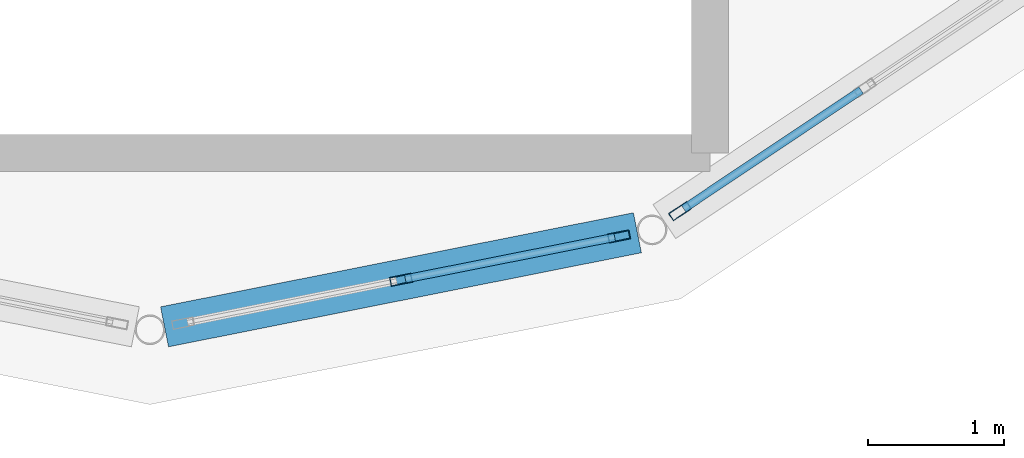
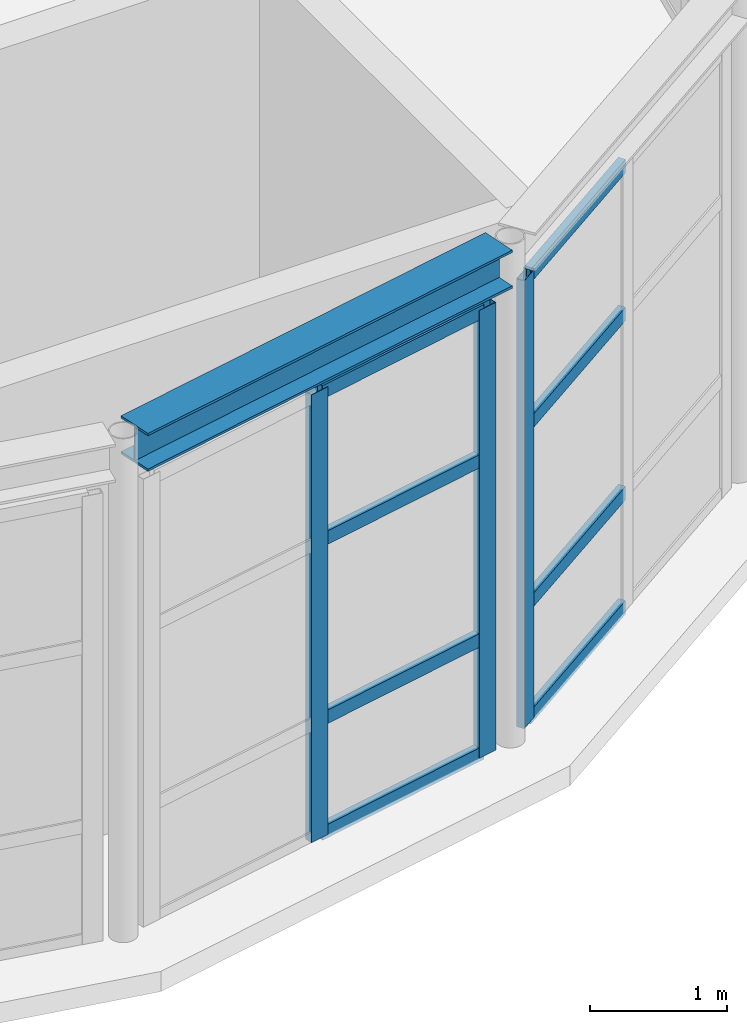
# One storey, part 26 of 80: 11 members, 1 beam, 2 elements without a shape of their own.
"""IFC4 building model written with IfcOpenShell, lengths in metres."""

from ifc_helpers import new_model, si_unit, direction, frame, origin, origin_2d, place, context, subcontext, project, spatial, hollow_rectangle, i_section, extrude, material, layer, layer_set, material_profile, profile_set, type_object, element, aggregate, save


model = new_model("IFC4")

# Units and contexts
model_context = context("Model", 3, precision=1e-05, world=origin(), true_north=direction((0.0, 1.0)))
body_context = subcontext(model_context, "Body", "Model", "MODEL_VIEW")
ifc_project = project(units=[si_unit("LENGTHUNIT", "METRE"), si_unit("AREAUNIT", "SQUARE_METRE"), si_unit("VOLUMEUNIT", "CUBIC_METRE"), si_unit("PLANEANGLEUNIT", "RADIAN"), si_unit("MASSUNIT", "GRAM", prefix="KILO")], contexts=[model_context])

# Site, building, storey
site_placement = place(None, origin())
site = spatial("IfcSite", under=ifc_project, at=site_placement, CompositionType="ELEMENT")
building_placement = place(site_placement, origin())
building = spatial("IfcBuilding", under=site, at=building_placement, Name="Kharisveld Research Institute", CompositionType="ELEMENT")
storey_placement = place(building_placement, frame((0.0, 0.0, 5.10009765625)))
storey = spatial("IfcBuildingStorey", under=building, at=storey_placement, Name="L01", CompositionType="ELEMENT", Elevation=5.10009765625)

# Beam
ifc_material_1 = material(Name="Steel S355JR", Category="steel")
ifc_material_profile_1 = material_profile(ifc_material_1, i_section(OverallWidth=0.300048828125, OverallDepth=0.340087890625, WebThickness=0.011962890625, FlangeThickness=0.021484375, at=origin_2d()))
ifc_profile_set_1 = profile_set([ifc_material_profile_1], Name="Steel S355JR")
beam_type = type_object("IfcBeamType", Name="BM_ST_HEA300", PredefinedType="BEAM", material=ifc_profile_set_1)
beam_placement = place(storey_placement, frame((59.607421875, 41.17138671875, 4.329833984375), z_axis=(0.980781401852, 0.195109819798, 0.0), x_axis=(-0.195109819798, 0.980781401852, 0.0)))
element("IfcBeam", 1, at=beam_placement, inside=storey, type_object=beam_type, Name="BM:V6:L01:RING12", PredefinedType="BEAM", context=body_context, shape_type="SweptSolid", body=[
    extrude(i_section(OverallWidth=0.300048828125, OverallDepth=0.340087890625, WebThickness=0.011962890625, FlangeThickness=0.021484375, at=origin_2d()), origin(), (0.0, 0.0, 1.0), 3.546142578125),
])

# Curtain wall, members
ifc_material_2 = material(Name="Thermally Broken Aluminium Curtain Wall", Category="aluminium")
ifc_layer_1 = layer(ifc_material_2, 0.159912109375)
ifc_layer_set_1 = layer_set([ifc_layer_1], Name="CW_SYS_01")
curtain_wall_type_1 = type_object("IfcCurtainWallType", Name="CW_SYS_01", PredefinedType="NOTDEFINED", material=ifc_layer_set_1)
curtain_wall_1_placement = place(storey_placement, origin())
curtain_wall_1 = element("IfcCurtainWall", 2, at=curtain_wall_1_placement, inside=storey, type_object=curtain_wall_type_1, Name="CW:V6:L01:CHORD12", PredefinedType="NOTDEFINED")
ifc_material_3 = material(Name="Anodised Aluminium AW-6063-T6", Category="aluminium")
ifc_material_profile_2 = material_profile(ifc_material_3, hollow_rectangle(XDim=0.06494140625, YDim=0.159912109375, WallThickness=0.00390625, at=origin_2d()))
ifc_profile_set_2 = profile_set([ifc_material_profile_2], Name="Anodised Aluminium AW-6063-T6")
member_type_1 = type_object("IfcMemberType", Name="CW_MUL_160", PredefinedType="MULLION", material=ifc_profile_set_2)
member_1_placement = place(storey_placement, frame((62.9501953125, 41.836181640625, 0.0), z_axis=(0.0, 0.0, 1.0), x_axis=(0.195090730724, -0.980785199106, 0.0)))
member_1 = element("IfcMember", 3, at=member_1_placement, type_object=member_type_1, Name="CW-01 mullion 1", PredefinedType="MULLION", context=body_context, shape_type="SweptSolid", body=[
    extrude(hollow_rectangle(XDim=0.06494140625, YDim=0.159912109375, WallThickness=0.00390625, at=origin_2d()), origin(), (0.0, 0.0, 1.0), 4.0),
])
member_2_placement = place(storey_placement, frame((61.346435546875, 41.517333984375, 0.0), z_axis=(0.0, 0.0, 1.0), x_axis=(0.195090730724, -0.980785199106, 0.0)))
member_2 = element("IfcMember", 4, at=member_2_placement, type_object=member_type_1, Name="CW-01 mullion 2", PredefinedType="MULLION", context=body_context, shape_type="SweptSolid", body=[
    extrude(hollow_rectangle(XDim=0.06494140625, YDim=0.159912109375, WallThickness=0.00390625, at=origin_2d()), origin(), (0.0, 0.0, 1.0), 4.0),
])

# Curtain wall, member
ifc_material_4 = material(Name="Thermally Broken Aluminium Curtain Wall", Category="aluminium")
ifc_layer_2 = layer(ifc_material_4, 0.159912109375)
ifc_layer_set_2 = layer_set([ifc_layer_2], Name="CW_SYS_02")
curtain_wall_type_2 = type_object("IfcCurtainWallType", Name="CW_SYS_02", PredefinedType="NOTDEFINED", material=ifc_layer_set_2)
curtain_wall_2_placement = place(storey_placement, origin())
curtain_wall_2 = element("IfcCurtainWall", 5, at=curtain_wall_2_placement, inside=storey, type_object=curtain_wall_type_2, Name="CW:V6:L01:CHORD13", PredefinedType="NOTDEFINED")
member_3_placement = place(storey_placement, frame((63.398681640625, 42.02197265625, 0.0), z_axis=(0.0, 0.0, 1.0), x_axis=(0.555570109828, -0.831469694616, 0.0)))
member_3 = element("IfcMember", 6, at=member_3_placement, type_object=member_type_1, Name="CW-02 mullion 3", PredefinedType="MULLION", context=body_context, shape_type="SweptSolid", body=[
    extrude(hollow_rectangle(XDim=0.06494140625, YDim=0.159912109375, WallThickness=0.00390625, at=origin_2d()), origin(), (0.0, 0.0, 1.0), 4.0),
])

# Member
ifc_material_5 = material(Name="Anodised Aluminium AW-6063-T6", Category="aluminium")
ifc_material_profile_3 = material_profile(ifc_material_5, hollow_rectangle(XDim=0.06005859375, YDim=0.1201171875, WallThickness=0.00390625, at=origin_2d()))
ifc_profile_set_3 = profile_set([ifc_material_profile_3], Name="Anodised Aluminium AW-6063-T6")
member_type_2 = type_object("IfcMemberType", Name="CW_TRN_120", PredefinedType="USERDEFINED", material=ifc_profile_set_3)
member_4_placement = place(storey_placement, frame((62.918212890625, 41.829833984375, 0.02978515625), z_axis=(-0.980801354025, -0.195009497058, 0.0), x_axis=(0.195009497058, -0.980801354025, 0.0)))
member_4 = element("IfcMember", 7, at=member_4_placement, type_object=member_type_2, Name="CW-01 transom 1.1", ObjectType="TRANSOM", PredefinedType="USERDEFINED", context=body_context, shape_type="SweptSolid", body=[
    extrude(hollow_rectangle(XDim=0.06005859375, YDim=0.1201171875, WallThickness=0.00390625, at=origin_2d()), origin(), (0.0, 0.0, 1.0), 1.56982421875),
])

member_5_placement = place(storey_placement, frame((62.918212890625, 41.829833984375, 1.0498046875), z_axis=(-0.980801354025, -0.195009497058, 0.0), x_axis=(0.195009497058, -0.980801354025, 0.0)))
member_5 = element("IfcMember", 8, at=member_5_placement, type_object=member_type_2, Name="CW-01 transom 1.2", ObjectType="TRANSOM", PredefinedType="USERDEFINED", context=body_context, shape_type="SweptSolid", body=[
    extrude(hollow_rectangle(XDim=0.06005859375, YDim=0.1201171875, WallThickness=0.00390625, at=origin_2d()), origin(), (0.0, 0.0, 1.0), 1.56982421875),
])

member_6_placement = place(storey_placement, frame((62.918212890625, 41.829833984375, 2.64990234375), z_axis=(-0.980801354025, -0.195009497058, 0.0), x_axis=(0.195009497058, -0.980801354025, 0.0)))
member_6 = element("IfcMember", 9, at=member_6_placement, type_object=member_type_2, Name="CW-01 transom 1.3", ObjectType="TRANSOM", PredefinedType="USERDEFINED", context=body_context, shape_type="SweptSolid", body=[
    extrude(hollow_rectangle(XDim=0.06005859375, YDim=0.1201171875, WallThickness=0.00390625, at=origin_2d()), origin(), (0.0, 0.0, 1.0), 1.56982421875),
])

member_7_placement = place(storey_placement, frame((62.918212890625, 41.829833984375, 3.969970703125), z_axis=(-0.980801354025, -0.195009497058, 0.0), x_axis=(0.195009497058, -0.980801354025, 0.0)))
member_7 = element("IfcMember", 10, at=member_7_placement, type_object=member_type_2, Name="CW-01 transom 1.4", ObjectType="TRANSOM", PredefinedType="USERDEFINED", context=body_context, shape_type="SweptSolid", body=[
    extrude(hollow_rectangle(XDim=0.06005859375, YDim=0.1201171875, WallThickness=0.00390625, at=origin_2d()), origin(), (0.0, 0.0, 1.0), 1.56982421875),
])

aggregate(curtain_wall_1, [member_1, member_2, member_4, member_5, member_6, member_7])

member_8_placement = place(storey_placement, frame((64.731201171875, 42.912353515625, 0.02978515625), z_axis=(-0.831451738652, -0.555596981897, 0.0), x_axis=(0.555596981897, -0.831451738652, 0.0)))
member_8 = element("IfcMember", 11, at=member_8_placement, type_object=member_type_2, Name="CW-02 transom 2.1", ObjectType="TRANSOM", PredefinedType="USERDEFINED", context=body_context, shape_type="SweptSolid", body=[
    extrude(hollow_rectangle(XDim=0.06005859375, YDim=0.1201171875, WallThickness=0.00390625, at=origin_2d()), origin(), (0.0, 0.0, 1.0), 1.570068359375),
])

member_9_placement = place(storey_placement, frame((64.731201171875, 42.912353515625, 1.0498046875), z_axis=(-0.831451738652, -0.555596981897, 0.0), x_axis=(0.555596981897, -0.831451738652, 0.0)))
member_9 = element("IfcMember", 12, at=member_9_placement, type_object=member_type_2, Name="CW-02 transom 2.2", ObjectType="TRANSOM", PredefinedType="USERDEFINED", context=body_context, shape_type="SweptSolid", body=[
    extrude(hollow_rectangle(XDim=0.06005859375, YDim=0.1201171875, WallThickness=0.00390625, at=origin_2d()), origin(), (0.0, 0.0, 1.0), 1.570068359375),
])

member_10_placement = place(storey_placement, frame((64.731201171875, 42.912353515625, 2.64990234375), z_axis=(-0.831451738652, -0.555596981897, 0.0), x_axis=(0.555596981897, -0.831451738652, 0.0)))
member_10 = element("IfcMember", 13, at=member_10_placement, type_object=member_type_2, Name="CW-02 transom 2.3", ObjectType="TRANSOM", PredefinedType="USERDEFINED", context=body_context, shape_type="SweptSolid", body=[
    extrude(hollow_rectangle(XDim=0.06005859375, YDim=0.1201171875, WallThickness=0.00390625, at=origin_2d()), origin(), (0.0, 0.0, 1.0), 1.570068359375),
])

member_11_placement = place(storey_placement, frame((64.731201171875, 42.912353515625, 3.969970703125), z_axis=(-0.831451738652, -0.555596981897, 0.0), x_axis=(0.555596981897, -0.831451738652, 0.0)))
member_11 = element("IfcMember", 14, at=member_11_placement, type_object=member_type_2, Name="CW-02 transom 2.4", ObjectType="TRANSOM", PredefinedType="USERDEFINED", context=body_context, shape_type="SweptSolid", body=[
    extrude(hollow_rectangle(XDim=0.06005859375, YDim=0.1201171875, WallThickness=0.00390625, at=origin_2d()), origin(), (0.0, 0.0, 1.0), 1.570068359375),
])

aggregate(curtain_wall_2, [member_3, member_8, member_9, member_10, member_11])

save(model, "model.ifc")
